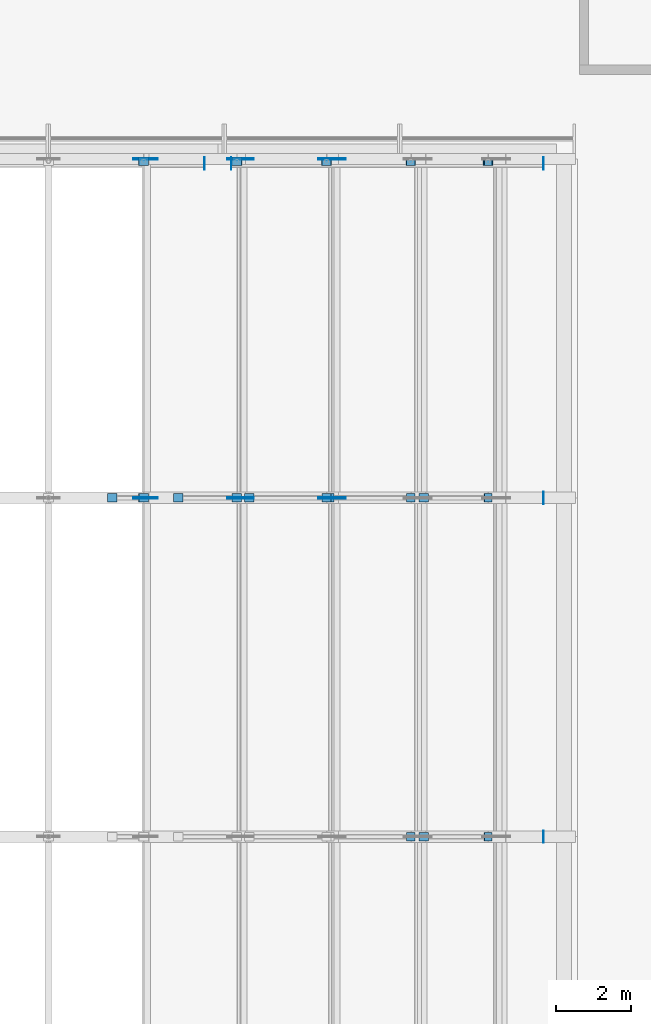
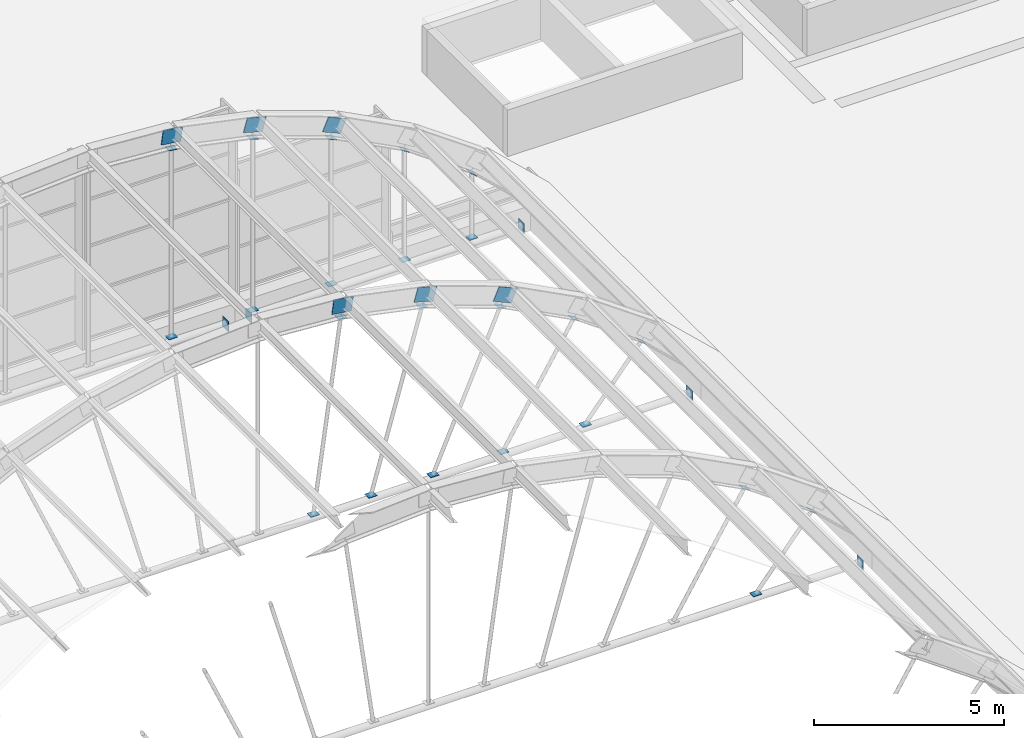
# One storey, part 40 of 43: 40 discrete accessories.
"""IFC4 building model written with IfcOpenShell, lengths in metres."""

from ifc_helpers import new_model, si_unit, direction, frame, origin, origin_2d, place, context, subcontext, project, spatial, rectangle, extrude, material, material_profile, profile_set, type_object, element, save


model = new_model("IFC4")

# Units and contexts
model_context = context("Model", 3, precision=1e-05, world=origin(), true_north=direction((0.0, 1.0)))
body_context = subcontext(model_context, "Body", "Model", "MODEL_VIEW")
ifc_project = project(units=[si_unit("LENGTHUNIT", "METRE"), si_unit("AREAUNIT", "SQUARE_METRE"), si_unit("VOLUMEUNIT", "CUBIC_METRE"), si_unit("PLANEANGLEUNIT", "RADIAN"), si_unit("MASSUNIT", "GRAM", prefix="KILO")], contexts=[model_context])

# Site, building, storey
site_placement = place(None, origin())
site = spatial("IfcSite", under=ifc_project, at=site_placement, CompositionType="ELEMENT")
building_placement = place(site_placement, origin())
building = spatial("IfcBuilding", under=site, at=building_placement, Name="Guidao Yard Department Store", CompositionType="ELEMENT")
storey_placement = place(building_placement, frame((0.0, 0.0, 28.5)))
storey = spatial("IfcBuildingStorey", under=building, at=storey_placement, Name="L06", CompositionType="ELEMENT", Elevation=28.5)

# Discrete accessories
ifc_material_1 = material(Name="Steel Q355B", Category="steel")
ifc_material_profile_1 = material_profile(ifc_material_1, rectangle(XDim=0.011962890625, YDim=0.449951171875, at=origin_2d()), Name="Splice plate 450x12")
ifc_profile_set_1 = profile_set([ifc_material_profile_1], Name="Steel Q355B")
discrete_accessory_type_1 = type_object("IfcDiscreteAccessoryType", Name="Rib splice plate SP2 steel", PredefinedType="BRACKET", material=ifc_profile_set_1)
for number, where, z_axis, x_axis, name in (
    (1, (33.77783203125, 80.987548828125, 6.118896484375), (0.990613532421, 0.0, -0.13669246279), (0.0, 1.0, 0.0), "Rib splice plate A04-07A"),
    (2, (33.77783203125, 81.012451171875, 6.118896484375), (0.990613532421, 0.0, -0.13669246279), (0.0, 1.0, 0.0), "Rib splice plate A04-07B"),
    (3, (36.3115234375, 80.987548828125, 5.633056640625), (0.962697322313, 0.0, -0.270580608342), (0.0, 1.0, 0.0), "Rib splice plate A04-08A"),
    (4, (36.3115234375, 81.012451171875, 5.633056640625), (0.962697322313, 0.0, -0.270580608342), (0.0, 1.0, 0.0), "Rib splice plate A04-08B"),
):
    element("IfcDiscreteAccessory", number, at=place(storey_placement, frame(where, z_axis=z_axis, x_axis=x_axis)), inside=storey, type_object=discrete_accessory_type_1, Name=name, PredefinedType="BRACKET", context=body_context, shape_type="SweptSolid", body=[
        extrude(rectangle(XDim=0.011962890625, YDim=0.449951171875, at=origin_2d()), origin(), (0.0, 0.0, 1.0), 0.60009765625),
    ])
for number, where, z_axis, x_axis, name in (
    (5, (38.75146484375, 80.987548828125, 4.806640625), (0.916642434779, 0.0, -0.399708202022), (0.0, 1.0, 0.0), "Rib splice plate A04-09A"),
    (6, (38.75146484375, 81.012451171875, 4.806640625), (0.916642434779, 0.0, -0.399708202022), (0.0, 1.0, 0.0), "Rib splice plate A04-09B"),
):
    element("IfcDiscreteAccessory", number, at=place(storey_placement, frame(where, z_axis=z_axis, x_axis=x_axis)), inside=storey, type_object=discrete_accessory_type_1, Name=name, PredefinedType="BRACKET", context=body_context, shape_type="SweptSolid", body=[
        extrude(rectangle(XDim=0.011962890625, YDim=0.449951171875, at=origin_2d()), origin(), (0.0, 0.0, 1.0), 0.599853515625),
    ])
for number, where, z_axis, x_axis, name in (
    (7, (33.77783203125, 89.987548828125, 6.118896484375), (0.990613532421, 0.0, -0.13669246279), (0.0, 1.0, 0.0), "Rib splice plate A05-07A"),
    (8, (33.77783203125, 90.012451171875, 6.118896484375), (0.990613532421, 0.0, -0.13669246279), (0.0, 1.0, 0.0), "Rib splice plate A05-07B"),
    (9, (36.3115234375, 89.987548828125, 5.633056640625), (0.962697322313, 0.0, -0.270580608342), (0.0, 1.0, 0.0), "Rib splice plate A05-08A"),
    (10, (36.3115234375, 90.012451171875, 5.633056640625), (0.962697322313, 0.0, -0.270580608342), (0.0, 1.0, 0.0), "Rib splice plate A05-08B"),
):
    element("IfcDiscreteAccessory", number, at=place(storey_placement, frame(where, z_axis=z_axis, x_axis=x_axis)), inside=storey, type_object=discrete_accessory_type_1, Name=name, PredefinedType="BRACKET", context=body_context, shape_type="SweptSolid", body=[
        extrude(rectangle(XDim=0.011962890625, YDim=0.449951171875, at=origin_2d()), origin(), (0.0, 0.0, 1.0), 0.60009765625),
    ])
for number, where, z_axis, x_axis, name in (
    (11, (38.75146484375, 89.987548828125, 4.806640625), (0.916642434779, 0.0, -0.399708202022), (0.0, 1.0, 0.0), "Rib splice plate A05-09A"),
    (12, (38.75146484375, 90.012451171875, 4.806640625), (0.916642434779, 0.0, -0.399708202022), (0.0, 1.0, 0.0), "Rib splice plate A05-09B"),
):
    element("IfcDiscreteAccessory", number, at=place(storey_placement, frame(where, z_axis=z_axis, x_axis=x_axis)), inside=storey, type_object=discrete_accessory_type_1, Name=name, PredefinedType="BRACKET", context=body_context, shape_type="SweptSolid", body=[
        extrude(rectangle(XDim=0.011962890625, YDim=0.449951171875, at=origin_2d()), origin(), (0.0, 0.0, 1.0), 0.599853515625),
    ])
ifc_material_2 = material(Name="Steel Q355B", Category="steel")
ifc_material_profile_2 = material_profile(ifc_material_2, rectangle(XDim=0.327880859375, YDim=0.011962890625, at=origin_2d()), Name="Node plate 328x12")
ifc_profile_set_2 = profile_set([ifc_material_profile_2], Name="Steel Q355B")
discrete_accessory_type_2 = type_object("IfcDiscreteAccessoryType", Name="Tie end plate NP3 328 steel", PredefinedType="BRACKET", material=ifc_profile_set_2)
for number, where, z_axis, x_axis, name in (
    (13, (44.64404296875, 71.8359375, -0.449951171875), (0.0, 1.0, 0.0), (0.0, 0.0, 1.0), "Tie end plate A03R"),
    (14, (44.64404296875, 80.8359375, -0.449951171875), (0.0, 1.0, 0.0), (0.0, 0.0, 1.0), "Tie end plate A04R"),
):
    element("IfcDiscreteAccessory", number, at=place(storey_placement, frame(where, z_axis=z_axis, x_axis=x_axis)), inside=storey, type_object=discrete_accessory_type_2, Name=name, PredefinedType="BRACKET", context=body_context, shape_type="SweptSolid", body=[
        extrude(rectangle(XDim=0.327880859375, YDim=0.011962890625, at=origin_2d()), origin(), (0.0, 0.0, 1.0), 0.328125),
    ])
for number, where, z_axis, x_axis, name in (
    (15, (35.64404296875, 89.716064453125, -0.449951171875), (0.0, 1.0, 0.0), (0.0, 0.0, 1.0), "Tie end plate A05-2R"),
    (16, (36.35595703125, 89.716064453125, -0.449951171875), (0.0, 1.0, 0.0), (0.0, 0.0, 1.0), "Tie end plate A05-3L"),
    (17, (44.64404296875, 89.716064453125, -0.449951171875), (0.0, 1.0, 0.0), (0.0, 0.0, 1.0), "Tie end plate A05-3R"),
):
    element("IfcDiscreteAccessory", number, at=place(storey_placement, frame(where, z_axis=z_axis, x_axis=x_axis)), inside=storey, type_object=discrete_accessory_type_2, Name=name, PredefinedType="BRACKET", context=body_context, shape_type="SweptSolid", body=[
        extrude(rectangle(XDim=0.327880859375, YDim=0.011962890625, at=origin_2d()), origin(), (0.0, 0.0, 1.0), 0.327880859375),
    ])
ifc_material_3 = material(Name="Steel Q355B", Category="steel")
ifc_material_profile_3 = material_profile(ifc_material_3, rectangle(XDim=0.260009765625, YDim=0.011962890625, at=origin_2d()), Name="Node plate 260x12")
ifc_profile_set_3 = profile_set([ifc_material_profile_3], Name="Steel Q355B")
discrete_accessory_type_3 = type_object("IfcDiscreteAccessoryType", Name="Web foot plate NP2 steel", PredefinedType="BRACKET", material=ifc_profile_set_3)
for number, where, z_axis, x_axis, name in (
    (18, (41.468017578125, 71.889892578125, -0.33447265625), (0.0, 1.0, 0.0), (-1.0, 0.0, 0.0), "Web foot plate A03-11F"),
    (19, (33.19189453125, 80.889892578125, -0.33447265625), (0.0, 1.0, 0.0), (-1.0, 0.0, 0.0), "Web foot plate A04-07F"),
    (20, (34.946044921875, 80.889892578125, -0.33447265625), (0.0, 1.0, 0.0), (-1.0, 0.0, 0.0), "Web foot plate A04-08F"),
    (21, (36.835693359375, 80.889892578125, -0.33447265625), (0.0, 1.0, 0.0), (-1.0, 0.0, 0.0), "Web foot plate A04-09F"),
    (22, (38.959716796875, 80.889892578125, -0.33447265625), (0.0, 1.0, 0.0), (-1.0, 0.0, 0.0), "Web foot plate A04-10F"),
    (23, (41.468017578125, 80.889892578125, -0.33447265625), (0.0, 1.0, 0.0), (-1.0, 0.0, 0.0), "Web foot plate A04-11F"),
):
    element("IfcDiscreteAccessory", number, at=place(storey_placement, frame(where, z_axis=z_axis, x_axis=x_axis)), inside=storey, type_object=discrete_accessory_type_3, Name=name, PredefinedType="BRACKET", context=body_context, shape_type="SweptSolid", body=[
        extrude(rectangle(XDim=0.260009765625, YDim=0.011962890625, at=origin_2d()), origin(), (0.0, 0.0, 1.0), 0.22021484375),
    ])
for number, where, z_axis, x_axis, name in (
    (24, (34.02734375, 89.830078125, -0.33447265625), (0.0, 1.0, 0.0), (-1.0, 0.0, 0.0), "Web foot plate A05-07F"),
    (25, (36.50537109375, 89.830078125, -0.33447265625), (0.0, 1.0, 0.0), (-1.0, 0.0, 0.0), "Web foot plate A05-08F"),
    (26, (38.88623046875, 89.830078125, -0.33447265625), (0.0, 1.0, 0.0), (-1.0, 0.0, 0.0), "Web foot plate A05-09F"),
    (27, (41.123291015625, 89.830078125, -0.33447265625), (0.0, 1.0, 0.0), (-1.0, 0.0, 0.0), "Web foot plate A05-10F"),
    (28, (43.173583984375, 89.830078125, -0.33447265625), (0.0, 1.0, 0.0), (-1.0, 0.0, 0.0), "Web foot plate A05-11F"),
):
    element("IfcDiscreteAccessory", number, at=place(storey_placement, frame(where, z_axis=z_axis, x_axis=x_axis)), inside=storey, type_object=discrete_accessory_type_3, Name=name, PredefinedType="BRACKET", context=body_context, shape_type="SweptSolid", body=[
        extrude(rectangle(XDim=0.260009765625, YDim=0.011962890625, at=origin_2d()), origin(), (0.0, 0.0, 1.0), 0.219970703125),
    ])
ifc_material_4 = material(Name="Steel Q355B", Category="steel")
ifc_material_profile_4 = material_profile(ifc_material_4, rectangle(XDim=0.260009765625, YDim=0.011962890625, at=origin_2d()), Name="Node plate 260x12")
ifc_profile_set_4 = profile_set([ifc_material_profile_4], Name="Steel Q355B")
discrete_accessory_type_4 = type_object("IfcDiscreteAccessoryType", Name="Web head plate NP1 steel", PredefinedType="BRACKET", material=ifc_profile_set_4)
for number, where, z_axis, x_axis, name in (
    (29, (41.123291015625, 71.889892578125, 3.199951171875), (0.0, 1.0, 0.0), (-0.852874237271, 0.0, 0.522116400239), "Web head plate A03-10H"),
    (30, (43.173583984375, 71.889892578125, 1.740966796875), (0.0, 1.0, 0.0), (-0.772569517273, 0.0, 0.634930185911), "Web head plate A03-11H"),
    (31, (34.02734375, 80.889892578125, 5.730224609375), (0.0, 1.0, 0.0), (-0.990647128966, 0.0, 0.13644876647), "Web head plate A04-07H"),
    (32, (36.50537109375, 80.889892578125, 5.214111328125), (0.0, 1.0, 0.0), (-0.962711909047, 0.0, 0.270528704906), "Web head plate A04-08H"),
    (33, (38.88623046875, 80.889892578125, 4.365234375), (0.0, 1.0, 0.0), (-0.916571220375, 0.0, 0.399871476828), "Web head plate A04-09H"),
    (34, (41.123291015625, 80.889892578125, 3.199951171875), (0.0, 1.0, 0.0), (-0.852874237271, 0.0, 0.522116400239), "Web head plate A04-10H"),
    (35, (43.173583984375, 80.889892578125, 1.740966796875), (0.0, 1.0, 0.0), (-0.772569517273, 0.0, 0.634930185911), "Web head plate A04-11H"),
):
    element("IfcDiscreteAccessory", number, at=place(storey_placement, frame(where, z_axis=z_axis, x_axis=x_axis)), inside=storey, type_object=discrete_accessory_type_4, Name=name, PredefinedType="BRACKET", context=body_context, shape_type="SweptSolid", body=[
        extrude(rectangle(XDim=0.260009765625, YDim=0.011962890625, at=origin_2d()), origin(), (0.0, 0.0, 1.0), 0.22021484375),
    ])
for number, where, z_axis, x_axis, name in (
    (36, (34.02734375, 89.830078125, 5.730224609375), (0.0, 1.0, 0.0), (-0.990647128966, 0.0, 0.13644876647), "Web head plate A05-07H"),
    (37, (36.50537109375, 89.830078125, 5.214111328125), (0.0, 1.0, 0.0), (-0.962711909047, 0.0, 0.270528704906), "Web head plate A05-08H"),
    (38, (38.88623046875, 89.830078125, 4.365234375), (0.0, 1.0, 0.0), (-0.916571220375, 0.0, 0.399871476828), "Web head plate A05-09H"),
    (39, (41.123291015625, 89.830078125, 3.199951171875), (0.0, 1.0, 0.0), (-0.852874237271, 0.0, 0.522116400239), "Web head plate A05-10H"),
    (40, (43.173583984375, 89.830078125, 1.740966796875), (0.0, 1.0, 0.0), (-0.772569517273, 0.0, 0.634930185911), "Web head plate A05-11H"),
):
    element("IfcDiscreteAccessory", number, at=place(storey_placement, frame(where, z_axis=z_axis, x_axis=x_axis)), inside=storey, type_object=discrete_accessory_type_4, Name=name, PredefinedType="BRACKET", context=body_context, shape_type="SweptSolid", body=[
        extrude(rectangle(XDim=0.260009765625, YDim=0.011962890625, at=origin_2d()), origin(), (0.0, 0.0, 1.0), 0.219970703125),
    ])

save(model, "model.ifc")
